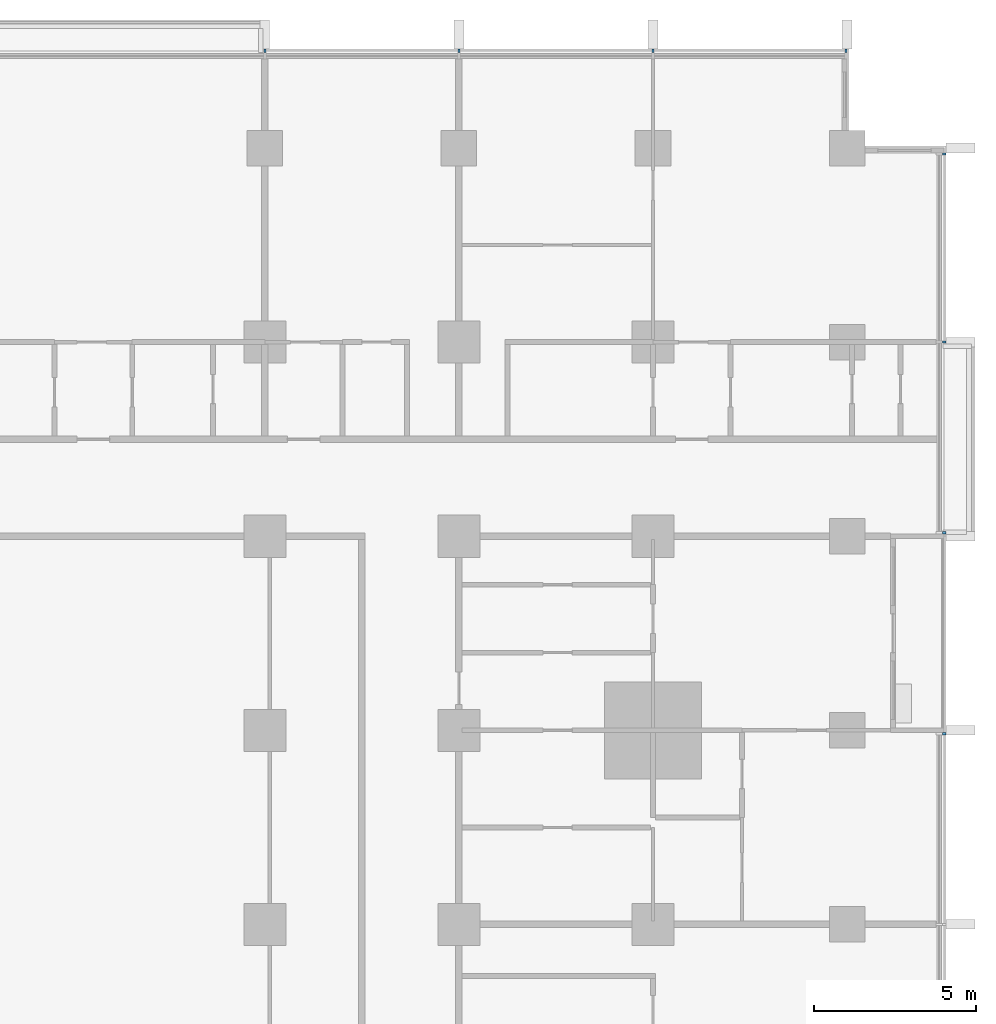
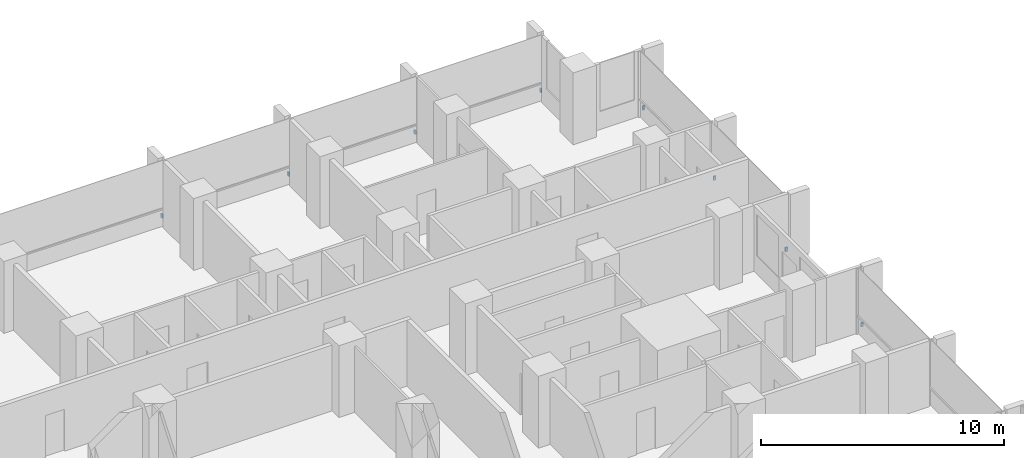
# One storey, part 17 of 18: 8 discrete accessories.
"""IFC4 building model written with IfcOpenShell, lengths in metres."""

from ifc_helpers import new_model, si_unit, direction, frame, origin, origin_2d, place, context, subcontext, project, spatial, rectangle, extrude, material, type_object, element, save


model = new_model("IFC4")

# Units and contexts
model_context = context("Model", 3, precision=1e-05, world=origin(), true_north=direction((0.0, 1.0)))
body_context = subcontext(model_context, "Body", "Model", "MODEL_VIEW")
ifc_project = project(units=[si_unit("LENGTHUNIT", "METRE"), si_unit("AREAUNIT", "SQUARE_METRE"), si_unit("VOLUMEUNIT", "CUBIC_METRE"), si_unit("PLANEANGLEUNIT", "RADIAN"), si_unit("MASSUNIT", "GRAM", prefix="KILO")], contexts=[model_context])

# Site, building, storey
site_placement = place(None, origin())
site = spatial("IfcSite", under=ifc_project, at=site_placement, CompositionType="ELEMENT")
building_placement = place(site_placement, origin())
building = spatial("IfcBuilding", under=site, at=building_placement, Name="Finial Court Residences", CompositionType="ELEMENT")
storey_placement = place(building_placement, frame((0.0, 0.0, 36.10009765625)))
storey = spatial("IfcBuildingStorey", under=building, at=storey_placement, Name="L07", CompositionType="ELEMENT", Elevation=36.10009765625)

# Discrete accessories
ifc_material = material(Name="Stainless steel 316", Category="steel")
discrete_accessory_type = type_object("IfcDiscreteAccessoryType", Name="Fin bracket, stainless steel 65 x 110 x 200", PredefinedType="BRACKET", material=ifc_material)
for number, where, z_axis, x_axis, name in (
    (1, (4.5, 28.5048828125, 0.2998046875), (0.0, 0.0, 1.0), (1.0, 0.0, 0.0), "E-L07-FIN-N5-BRK"),
    (2, (10.5, 28.5048828125, 0.2998046875), (0.0, 0.0, 1.0), (1.0, 0.0, 0.0), "E-L07-FIN-N6-BRK"),
    (3, (16.5, 28.5048828125, 0.2998046875), (0.0, 0.0, 1.0), (1.0, 0.0, 0.0), "E-L07-FIN-N7-BRK"),
    (4, (22.467529296875, 28.5048828125, 0.2998046875), (0.0, 0.0, 1.0), (1.0, 0.0, 0.0), "E-L07-FIN-N8-BRK"),
):
    element("IfcDiscreteAccessory", number, at=place(storey_placement, frame(where, z_axis=z_axis, x_axis=x_axis)), inside=storey, type_object=discrete_accessory_type, Name=name, PredefinedType="BRACKET", context=body_context, shape_type="SweptSolid", body=[
        extrude(rectangle(XDim=0.06494140625, YDim=0.110107421875, at=origin_2d()), origin(), (0.0, 0.0, 1.0), 0.199951171875),
    ])
for number, where, z_axis, x_axis, name in (
    (5, (25.5048828125, 7.392578125, 0.2998046875), (0.0, 0.0, 1.0), (1.0, 0.0, 0.0), "E-L07-FIN-E13-BRK"),
    (6, (25.5048828125, 13.607421875, 0.2998046875), (0.0, 0.0, 1.0), (1.0, 0.0, 0.0), "E-L07-FIN-E14-BRK"),
    (7, (25.5048828125, 19.5, 0.2998046875), (0.0, 0.0, 1.0), (1.0, 0.0, 0.0), "E-L07-FIN-E15-BRK"),
    (8, (25.5048828125, 25.3173828125, 0.2998046875), (0.0, 0.0, 1.0), (1.0, 0.0, 0.0), "E-L07-FIN-E16-BRK"),
):
    element("IfcDiscreteAccessory", number, at=place(storey_placement, frame(where, z_axis=z_axis, x_axis=x_axis)), inside=storey, type_object=discrete_accessory_type, Name=name, PredefinedType="BRACKET", context=body_context, shape_type="SweptSolid", body=[
        extrude(rectangle(XDim=0.110107421875, YDim=0.06494140625, at=origin_2d()), origin(), (0.0, 0.0, 1.0), 0.199951171875),
    ])

save(model, "model.ifc")
